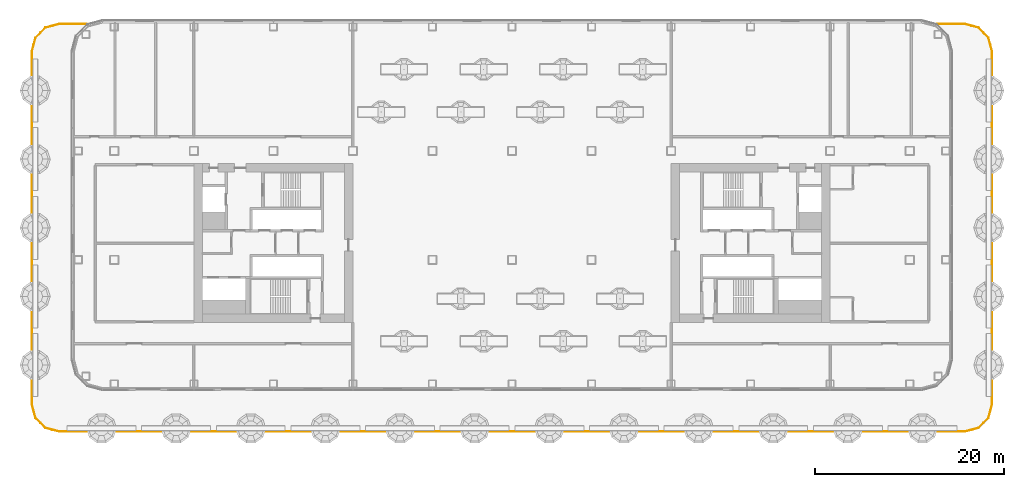
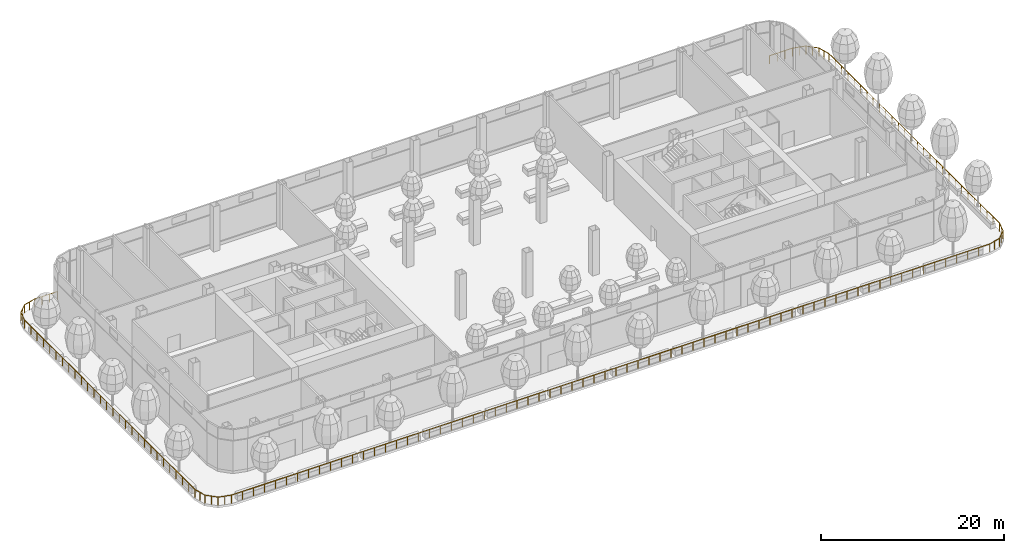
# One storey, part 34 of 44: 1 railing.
"""IFC4 building model written with IfcOpenShell, lengths in metres."""

from ifc_helpers import new_model, si_unit, direction, frame, origin, origin_2d, place, context, subcontext, project, spatial, circle, extrude, material, type_object, element, save


model = new_model("IFC4")

# Units and contexts
model_context = context("Model", 3, precision=1e-05, world=origin(), true_north=direction((0.0, 1.0)))
body_context = subcontext(model_context, "Body", "Model", "MODEL_VIEW")
ifc_project = project(units=[si_unit("LENGTHUNIT", "METRE"), si_unit("AREAUNIT", "SQUARE_METRE"), si_unit("VOLUMEUNIT", "CUBIC_METRE"), si_unit("PLANEANGLEUNIT", "RADIAN"), si_unit("MASSUNIT", "GRAM", prefix="KILO")], contexts=[model_context])

# Site, building, storey
site_placement = place(None, origin())
site = spatial("IfcSite", under=ifc_project, at=site_placement, CompositionType="ELEMENT")
building_placement = place(site_placement, origin())
building = spatial("IfcBuilding", under=site, at=building_placement, Name="Hakoniwa Tower and Hamabe Station Hall", CompositionType="ELEMENT")
storey_placement = place(building_placement, frame((0.0, 0.0, 69.0)))
storey = spatial("IfcBuildingStorey", under=building, at=storey_placement, Name="L19", CompositionType="ELEMENT", Elevation=69.0)

# Railing
ifc_material = material(Name="Stainless steel and laminated glass", Category="steel")
railing_type = type_object("IfcRailingType", Name="TERRACE BALUSTRADE 1100", PredefinedType="BALUSTRADE", material=ifc_material)
railing_placement = place(storey_placement, frame((-44.89990234375, 23.15087890625, 0.0)))
element("IfcRailing", 1, at=railing_placement, inside=storey, type_object=railing_type, Name="Terrace balustrade", PredefinedType="BALUSTRADE", context=body_context, shape_type="SweptSolid", body=[
    extrude(circle(Radius=0.02392578125, at=origin_2d()), frame((0.0, 0.0, 1.076171875), z_axis=(-1.0, 0.0, 0.0), x_axis=(0.0, -1.0, 0.0)), (0.0, 0.0, 1.0), 2.886962890625),
    extrude(circle(Radius=0.02392578125, at=origin_2d()), frame((-2.886962890625, 0.0, 1.076171875), z_axis=(-0.965934369252, -0.258787160227, 0.0), x_axis=(0.258787160227, -0.965934369252, 0.0)), (0.0, 0.0, 1.0), 1.51318359375),
    extrude(circle(Radius=0.02392578125, at=origin_2d()), frame((-4.3486328125, -0.3916015625, 1.076171875), z_axis=(-0.707188156038, -0.707025396969, 0.0), x_axis=(0.707025396969, -0.707188156038, 0.0)), (0.0, 0.0, 1.0), 1.5),
    extrude(circle(Radius=0.02392578125, at=origin_2d()), frame((-5.409423828125, -1.4521484375, 1.076171875), z_axis=(-0.258787160227, -0.965934369252, 0.0), x_axis=(0.965934369252, -0.258787160227, 0.0)), (0.0, 0.0, 1.0), 1.51318359375),
    extrude(circle(Radius=0.02392578125, at=origin_2d()), frame((-5.801025390625, -2.913818359375, 1.076171875), z_axis=(0.0, -1.0, 0.0), x_axis=(1.0, 0.0, 0.0)), (0.0, 0.0, 1.0), 37.223876953125),
    extrude(circle(Radius=0.02392578125, at=origin_2d()), frame((-5.801025390625, -40.1376953125, 1.076171875), z_axis=(0.258746836241, -0.965945171702, 0.0), x_axis=(0.965945171702, 0.258746836241, 0.0)), (0.0, 0.0, 1.0), 1.513427734375),
    extrude(circle(Radius=0.02392578125, at=origin_2d()), frame((-5.409423828125, -41.599609375, 1.076171875), z_axis=(0.707106781187, -0.707106781187, 0.0), x_axis=(0.707106781187, 0.707106781187, 0.0)), (0.0, 0.0, 1.0), 1.499755859375),
    extrude(circle(Radius=0.02392578125, at=origin_2d()), frame((-4.348876953125, -42.66015625, 1.076171875), z_axis=(0.965945171702, -0.258746836241, 0.0), x_axis=(0.258746836241, 0.965945171702, 0.0)), (0.0, 0.0, 1.0), 1.513427734375),
    extrude(circle(Radius=0.02392578125, at=origin_2d()), frame((-2.886962890625, -43.0517578125, 1.076171875), z_axis=(1.0, 0.0, 0.0), x_axis=(0.0, 1.0, 0.0)), (0.0, 0.0, 1.0), 95.57373046875),
    extrude(circle(Radius=0.02392578125, at=origin_2d()), frame((92.686767578125, -43.0517578125, 1.076171875), z_axis=(0.965934369252, 0.258787160227, 0.0), x_axis=(-0.258787160227, 0.965934369252, 0.0)), (0.0, 0.0, 1.0), 1.51318359375),
    extrude(circle(Radius=0.02392578125, at=origin_2d()), frame((94.1484375, -42.66015625, 1.076171875), z_axis=(0.707188156038, 0.707025396969, 0.0), x_axis=(-0.707025396969, 0.707188156038, 0.0)), (0.0, 0.0, 1.0), 1.5),
    extrude(circle(Radius=0.02392578125, at=origin_2d()), frame((95.209228515625, -41.599609375, 1.076171875), z_axis=(0.258746836241, 0.965945171702, 0.0), x_axis=(-0.965945171702, 0.258746836241, 0.0)), (0.0, 0.0, 1.0), 1.513427734375),
    extrude(circle(Radius=0.02392578125, at=origin_2d()), frame((95.600830078125, -40.1376953125, 1.076171875), z_axis=(0.0, 1.0, 0.0), x_axis=(-1.0, 0.0, 0.0)), (0.0, 0.0, 1.0), 37.2236328125),
    extrude(circle(Radius=0.02392578125, at=origin_2d()), frame((95.600830078125, -2.9140625, 1.076171875), z_axis=(-0.258787160227, 0.965934369252, 0.0), x_axis=(-0.965934369252, -0.258787160227, 0.0)), (0.0, 0.0, 1.0), 1.51318359375),
    extrude(circle(Radius=0.02392578125, at=origin_2d()), frame((95.209228515625, -1.452392578125, 1.076171875), z_axis=(-0.707025396969, 0.707188156038, 0.0), x_axis=(-0.707188156038, -0.707025396969, 0.0)), (0.0, 0.0, 1.0), 1.5),
    extrude(circle(Radius=0.02392578125, at=origin_2d()), frame((94.148681640625, -0.3916015625, 1.076171875), z_axis=(-0.965934369252, 0.258787160227, 0.0), x_axis=(-0.258787160227, -0.965934369252, 0.0)), (0.0, 0.0, 1.0), 1.51318359375),
    extrude(circle(Radius=0.02392578125, at=origin_2d()), frame((92.68701171875, 0.0, 1.076171875), z_axis=(-1.0, 0.0, 0.0), x_axis=(0.0, -1.0, 0.0)), (0.0, 0.0, 1.0), 2.88720703125),
    extrude(circle(Radius=0.02099609375, at=origin_2d()), origin(), (0.0, 0.0, 1.0), 1.052001953125),
    extrude(circle(Radius=0.02099609375, at=origin_2d()), frame((-0.96240234375, 0.0, 0.0)), (0.0, 0.0, 1.0), 1.052001953125),
    extrude(circle(Radius=0.02099609375, at=origin_2d()), frame((-1.924560546875, 0.0, 0.0)), (0.0, 0.0, 1.0), 1.052001953125),
    extrude(circle(Radius=0.02099609375, at=origin_2d()), frame((-2.886962890625, 0.0, 0.0)), (0.0, 0.0, 1.0), 1.052001953125),
    extrude(circle(Radius=0.02099609375, at=origin_2d()), frame((-3.61767578125, -0.19580078125, 0.0)), (0.0, 0.0, 1.0), 1.052001953125),
    extrude(circle(Radius=0.02099609375, at=origin_2d()), frame((-4.3486328125, -0.3916015625, 0.0)), (0.0, 0.0, 1.0), 1.052001953125),
    extrude(circle(Radius=0.02099609375, at=origin_2d()), frame((-4.87890625, -0.921875, 0.0)), (0.0, 0.0, 1.0), 1.052001953125),
    extrude(circle(Radius=0.02099609375, at=origin_2d()), frame((-5.409423828125, -1.4521484375, 0.0)), (0.0, 0.0, 1.0), 1.052001953125),
    extrude(circle(Radius=0.02099609375, at=origin_2d()), frame((-5.605224609375, -2.18310546875, 0.0)), (0.0, 0.0, 1.0), 1.052001953125),
    extrude(circle(Radius=0.02099609375, at=origin_2d()), frame((-5.801025390625, -2.913818359375, 0.0)), (0.0, 0.0, 1.0), 1.052001953125),
    extrude(circle(Radius=0.02099609375, at=origin_2d()), frame((-5.801025390625, -4.29248046875, 0.0)), (0.0, 0.0, 1.0), 1.052001953125),
    extrude(circle(Radius=0.02099609375, at=origin_2d()), frame((-5.801025390625, -5.671142578125, 0.0)), (0.0, 0.0, 1.0), 1.052001953125),
    extrude(circle(Radius=0.02099609375, at=origin_2d()), frame((-5.801025390625, -7.0498046875, 0.0)), (0.0, 0.0, 1.0), 1.052001953125),
    extrude(circle(Radius=0.02099609375, at=origin_2d()), frame((-5.801025390625, -8.428466796875, 0.0)), (0.0, 0.0, 1.0), 1.052001953125),
    extrude(circle(Radius=0.02099609375, at=origin_2d()), frame((-5.801025390625, -9.80712890625, 0.0)), (0.0, 0.0, 1.0), 1.052001953125),
    extrude(circle(Radius=0.02099609375, at=origin_2d()), frame((-5.801025390625, -11.185791015625, 0.0)), (0.0, 0.0, 1.0), 1.052001953125),
    extrude(circle(Radius=0.02099609375, at=origin_2d()), frame((-5.801025390625, -12.564453125, 0.0)), (0.0, 0.0, 1.0), 1.052001953125),
    extrude(circle(Radius=0.02099609375, at=origin_2d()), frame((-5.801025390625, -13.943115234375, 0.0)), (0.0, 0.0, 1.0), 1.052001953125),
    extrude(circle(Radius=0.02099609375, at=origin_2d()), frame((-5.801025390625, -15.32177734375, 0.0)), (0.0, 0.0, 1.0), 1.052001953125),
    extrude(circle(Radius=0.02099609375, at=origin_2d()), frame((-5.801025390625, -16.700439453125, 0.0)), (0.0, 0.0, 1.0), 1.052001953125),
    extrude(circle(Radius=0.02099609375, at=origin_2d()), frame((-5.801025390625, -18.0791015625, 0.0)), (0.0, 0.0, 1.0), 1.052001953125),
    extrude(circle(Radius=0.02099609375, at=origin_2d()), frame((-5.801025390625, -19.457763671875, 0.0)), (0.0, 0.0, 1.0), 1.052001953125),
    extrude(circle(Radius=0.02099609375, at=origin_2d()), frame((-5.801025390625, -20.83642578125, 0.0)), (0.0, 0.0, 1.0), 1.052001953125),
    extrude(circle(Radius=0.02099609375, at=origin_2d()), frame((-5.801025390625, -22.215087890625, 0.0)), (0.0, 0.0, 1.0), 1.052001953125),
    extrude(circle(Radius=0.02099609375, at=origin_2d()), frame((-5.801025390625, -23.59375, 0.0)), (0.0, 0.0, 1.0), 1.052001953125),
    extrude(circle(Radius=0.02099609375, at=origin_2d()), frame((-5.801025390625, -24.972412109375, 0.0)), (0.0, 0.0, 1.0), 1.052001953125),
    extrude(circle(Radius=0.02099609375, at=origin_2d()), frame((-5.801025390625, -26.35107421875, 0.0)), (0.0, 0.0, 1.0), 1.052001953125),
    extrude(circle(Radius=0.02099609375, at=origin_2d()), frame((-5.801025390625, -27.729736328125, 0.0)), (0.0, 0.0, 1.0), 1.052001953125),
    extrude(circle(Radius=0.02099609375, at=origin_2d()), frame((-5.801025390625, -29.1083984375, 0.0)), (0.0, 0.0, 1.0), 1.052001953125),
    extrude(circle(Radius=0.02099609375, at=origin_2d()), frame((-5.801025390625, -30.487060546875, 0.0)), (0.0, 0.0, 1.0), 1.052001953125),
    extrude(circle(Radius=0.02099609375, at=origin_2d()), frame((-5.801025390625, -31.86572265625, 0.0)), (0.0, 0.0, 1.0), 1.052001953125),
    extrude(circle(Radius=0.02099609375, at=origin_2d()), frame((-5.801025390625, -33.244384765625, 0.0)), (0.0, 0.0, 1.0), 1.052001953125),
    extrude(circle(Radius=0.02099609375, at=origin_2d()), frame((-5.801025390625, -34.623046875, 0.0)), (0.0, 0.0, 1.0), 1.052001953125),
    extrude(circle(Radius=0.02099609375, at=origin_2d()), frame((-5.801025390625, -36.001708984375, 0.0)), (0.0, 0.0, 1.0), 1.052001953125),
    extrude(circle(Radius=0.02099609375, at=origin_2d()), frame((-5.801025390625, -37.38037109375, 0.0)), (0.0, 0.0, 1.0), 1.052001953125),
    extrude(circle(Radius=0.02099609375, at=origin_2d()), frame((-5.801025390625, -38.759033203125, 0.0)), (0.0, 0.0, 1.0), 1.052001953125),
    extrude(circle(Radius=0.02099609375, at=origin_2d()), frame((-5.801025390625, -40.1376953125, 0.0)), (0.0, 0.0, 1.0), 1.052001953125),
    extrude(circle(Radius=0.02099609375, at=origin_2d()), frame((-5.605224609375, -40.86865234375, 0.0)), (0.0, 0.0, 1.0), 1.052001953125),
    extrude(circle(Radius=0.02099609375, at=origin_2d()), frame((-5.409423828125, -41.599609375, 0.0)), (0.0, 0.0, 1.0), 1.052001953125),
    extrude(circle(Radius=0.02099609375, at=origin_2d()), frame((-4.879150390625, -42.1298828125, 0.0)), (0.0, 0.0, 1.0), 1.052001953125),
    extrude(circle(Radius=0.02099609375, at=origin_2d()), frame((-4.348876953125, -42.66015625, 0.0)), (0.0, 0.0, 1.0), 1.052001953125),
    extrude(circle(Radius=0.02099609375, at=origin_2d()), frame((-3.617919921875, -42.85595703125, 0.0)), (0.0, 0.0, 1.0), 1.052001953125),
    extrude(circle(Radius=0.02099609375, at=origin_2d()), frame((-2.886962890625, -43.0517578125, 0.0)), (0.0, 0.0, 1.0), 1.052001953125),
    extrude(circle(Radius=0.02099609375, at=origin_2d()), frame((-1.501953125, -43.0517578125, 0.0)), (0.0, 0.0, 1.0), 1.052001953125),
    extrude(circle(Radius=0.02099609375, at=origin_2d()), frame((-0.11669921875, -43.0517578125, 0.0)), (0.0, 0.0, 1.0), 1.052001953125),
    extrude(circle(Radius=0.02099609375, at=origin_2d()), frame((1.268310546875, -43.0517578125, 0.0)), (0.0, 0.0, 1.0), 1.052001953125),
    extrude(circle(Radius=0.02099609375, at=origin_2d()), frame((2.653564453125, -43.0517578125, 0.0)), (0.0, 0.0, 1.0), 1.052001953125),
    extrude(circle(Radius=0.02099609375, at=origin_2d()), frame((4.03857421875, -43.0517578125, 0.0)), (0.0, 0.0, 1.0), 1.052001953125),
    extrude(circle(Radius=0.02099609375, at=origin_2d()), frame((5.423828125, -43.0517578125, 0.0)), (0.0, 0.0, 1.0), 1.052001953125),
    extrude(circle(Radius=0.02099609375, at=origin_2d()), frame((6.808837890625, -43.0517578125, 0.0)), (0.0, 0.0, 1.0), 1.052001953125),
    extrude(circle(Radius=0.02099609375, at=origin_2d()), frame((8.194091796875, -43.0517578125, 0.0)), (0.0, 0.0, 1.0), 1.052001953125),
    extrude(circle(Radius=0.02099609375, at=origin_2d()), frame((9.5791015625, -43.0517578125, 0.0)), (0.0, 0.0, 1.0), 1.052001953125),
    extrude(circle(Radius=0.02099609375, at=origin_2d()), frame((10.96435546875, -43.0517578125, 0.0)), (0.0, 0.0, 1.0), 1.052001953125),
    extrude(circle(Radius=0.02099609375, at=origin_2d()), frame((12.349365234375, -43.0517578125, 0.0)), (0.0, 0.0, 1.0), 1.052001953125),
    extrude(circle(Radius=0.02099609375, at=origin_2d()), frame((13.734619140625, -43.0517578125, 0.0)), (0.0, 0.0, 1.0), 1.052001953125),
    extrude(circle(Radius=0.02099609375, at=origin_2d()), frame((15.11962890625, -43.0517578125, 0.0)), (0.0, 0.0, 1.0), 1.052001953125),
    extrude(circle(Radius=0.02099609375, at=origin_2d()), frame((16.5048828125, -43.0517578125, 0.0)), (0.0, 0.0, 1.0), 1.052001953125),
    extrude(circle(Radius=0.02099609375, at=origin_2d()), frame((17.889892578125, -43.0517578125, 0.0)), (0.0, 0.0, 1.0), 1.052001953125),
    extrude(circle(Radius=0.02099609375, at=origin_2d()), frame((19.275146484375, -43.0517578125, 0.0)), (0.0, 0.0, 1.0), 1.052001953125),
    extrude(circle(Radius=0.02099609375, at=origin_2d()), frame((20.66015625, -43.0517578125, 0.0)), (0.0, 0.0, 1.0), 1.052001953125),
    extrude(circle(Radius=0.02099609375, at=origin_2d()), frame((22.04541015625, -43.0517578125, 0.0)), (0.0, 0.0, 1.0), 1.052001953125),
    extrude(circle(Radius=0.02099609375, at=origin_2d()), frame((23.430419921875, -43.0517578125, 0.0)), (0.0, 0.0, 1.0), 1.052001953125),
    extrude(circle(Radius=0.02099609375, at=origin_2d()), frame((24.815673828125, -43.0517578125, 0.0)), (0.0, 0.0, 1.0), 1.052001953125),
    extrude(circle(Radius=0.02099609375, at=origin_2d()), frame((26.20068359375, -43.0517578125, 0.0)), (0.0, 0.0, 1.0), 1.052001953125),
    extrude(circle(Radius=0.02099609375, at=origin_2d()), frame((27.5859375, -43.0517578125, 0.0)), (0.0, 0.0, 1.0), 1.052001953125),
    extrude(circle(Radius=0.02099609375, at=origin_2d()), frame((28.970947265625, -43.0517578125, 0.0)), (0.0, 0.0, 1.0), 1.052001953125),
    extrude(circle(Radius=0.02099609375, at=origin_2d()), frame((30.35595703125, -43.0517578125, 0.0)), (0.0, 0.0, 1.0), 1.052001953125),
    extrude(circle(Radius=0.02099609375, at=origin_2d()), frame((31.7412109375, -43.0517578125, 0.0)), (0.0, 0.0, 1.0), 1.052001953125),
    extrude(circle(Radius=0.02099609375, at=origin_2d()), frame((33.126220703125, -43.0517578125, 0.0)), (0.0, 0.0, 1.0), 1.052001953125),
    extrude(circle(Radius=0.02099609375, at=origin_2d()), frame((34.511474609375, -43.0517578125, 0.0)), (0.0, 0.0, 1.0), 1.052001953125),
    extrude(circle(Radius=0.02099609375, at=origin_2d()), frame((35.896484375, -43.0517578125, 0.0)), (0.0, 0.0, 1.0), 1.052001953125),
    extrude(circle(Radius=0.02099609375, at=origin_2d()), frame((37.28173828125, -43.0517578125, 0.0)), (0.0, 0.0, 1.0), 1.052001953125),
    extrude(circle(Radius=0.02099609375, at=origin_2d()), frame((38.666748046875, -43.0517578125, 0.0)), (0.0, 0.0, 1.0), 1.052001953125),
    extrude(circle(Radius=0.02099609375, at=origin_2d()), frame((40.052001953125, -43.0517578125, 0.0)), (0.0, 0.0, 1.0), 1.052001953125),
    extrude(circle(Radius=0.02099609375, at=origin_2d()), frame((41.43701171875, -43.0517578125, 0.0)), (0.0, 0.0, 1.0), 1.052001953125),
    extrude(circle(Radius=0.02099609375, at=origin_2d()), frame((42.822265625, -43.0517578125, 0.0)), (0.0, 0.0, 1.0), 1.052001953125),
    extrude(circle(Radius=0.02099609375, at=origin_2d()), frame((44.207275390625, -43.0517578125, 0.0)), (0.0, 0.0, 1.0), 1.052001953125),
    extrude(circle(Radius=0.02099609375, at=origin_2d()), frame((45.592529296875, -43.0517578125, 0.0)), (0.0, 0.0, 1.0), 1.052001953125),
    extrude(circle(Radius=0.02099609375, at=origin_2d()), frame((46.9775390625, -43.0517578125, 0.0)), (0.0, 0.0, 1.0), 1.052001953125),
    extrude(circle(Radius=0.02099609375, at=origin_2d()), frame((48.36279296875, -43.0517578125, 0.0)), (0.0, 0.0, 1.0), 1.052001953125),
    extrude(circle(Radius=0.02099609375, at=origin_2d()), frame((49.747802734375, -43.0517578125, 0.0)), (0.0, 0.0, 1.0), 1.052001953125),
    extrude(circle(Radius=0.02099609375, at=origin_2d()), frame((51.133056640625, -43.0517578125, 0.0)), (0.0, 0.0, 1.0), 1.052001953125),
    extrude(circle(Radius=0.02099609375, at=origin_2d()), frame((52.51806640625, -43.0517578125, 0.0)), (0.0, 0.0, 1.0), 1.052001953125),
    extrude(circle(Radius=0.02099609375, at=origin_2d()), frame((53.9033203125, -43.0517578125, 0.0)), (0.0, 0.0, 1.0), 1.052001953125),
    extrude(circle(Radius=0.02099609375, at=origin_2d()), frame((55.288330078125, -43.0517578125, 0.0)), (0.0, 0.0, 1.0), 1.052001953125),
    extrude(circle(Radius=0.02099609375, at=origin_2d()), frame((56.673583984375, -43.0517578125, 0.0)), (0.0, 0.0, 1.0), 1.052001953125),
    extrude(circle(Radius=0.02099609375, at=origin_2d()), frame((58.05859375, -43.0517578125, 0.0)), (0.0, 0.0, 1.0), 1.052001953125),
    extrude(circle(Radius=0.02099609375, at=origin_2d()), frame((59.44384765625, -43.0517578125, 0.0)), (0.0, 0.0, 1.0), 1.052001953125),
    extrude(circle(Radius=0.02099609375, at=origin_2d()), frame((60.828857421875, -43.0517578125, 0.0)), (0.0, 0.0, 1.0), 1.052001953125),
    extrude(circle(Radius=0.02099609375, at=origin_2d()), frame((62.2138671875, -43.0517578125, 0.0)), (0.0, 0.0, 1.0), 1.052001953125),
    extrude(circle(Radius=0.02099609375, at=origin_2d()), frame((63.59912109375, -43.0517578125, 0.0)), (0.0, 0.0, 1.0), 1.052001953125),
    extrude(circle(Radius=0.02099609375, at=origin_2d()), frame((64.984130859375, -43.0517578125, 0.0)), (0.0, 0.0, 1.0), 1.052001953125),
    extrude(circle(Radius=0.02099609375, at=origin_2d()), frame((66.369384765625, -43.0517578125, 0.0)), (0.0, 0.0, 1.0), 1.052001953125),
    extrude(circle(Radius=0.02099609375, at=origin_2d()), frame((67.75439453125, -43.0517578125, 0.0)), (0.0, 0.0, 1.0), 1.052001953125),
    extrude(circle(Radius=0.02099609375, at=origin_2d()), frame((69.1396484375, -43.0517578125, 0.0)), (0.0, 0.0, 1.0), 1.052001953125),
    extrude(circle(Radius=0.02099609375, at=origin_2d()), frame((70.524658203125, -43.0517578125, 0.0)), (0.0, 0.0, 1.0), 1.052001953125),
    extrude(circle(Radius=0.02099609375, at=origin_2d()), frame((71.909912109375, -43.0517578125, 0.0)), (0.0, 0.0, 1.0), 1.052001953125),
    extrude(circle(Radius=0.02099609375, at=origin_2d()), frame((73.294921875, -43.0517578125, 0.0)), (0.0, 0.0, 1.0), 1.052001953125),
    extrude(circle(Radius=0.02099609375, at=origin_2d()), frame((74.68017578125, -43.0517578125, 0.0)), (0.0, 0.0, 1.0), 1.052001953125),
    extrude(circle(Radius=0.02099609375, at=origin_2d()), frame((76.065185546875, -43.0517578125, 0.0)), (0.0, 0.0, 1.0), 1.052001953125),
    extrude(circle(Radius=0.02099609375, at=origin_2d()), frame((77.450439453125, -43.0517578125, 0.0)), (0.0, 0.0, 1.0), 1.052001953125),
    extrude(circle(Radius=0.02099609375, at=origin_2d()), frame((78.83544921875, -43.0517578125, 0.0)), (0.0, 0.0, 1.0), 1.052001953125),
    extrude(circle(Radius=0.02099609375, at=origin_2d()), frame((80.220703125, -43.0517578125, 0.0)), (0.0, 0.0, 1.0), 1.052001953125),
    extrude(circle(Radius=0.02099609375, at=origin_2d()), frame((81.605712890625, -43.0517578125, 0.0)), (0.0, 0.0, 1.0), 1.052001953125),
    extrude(circle(Radius=0.02099609375, at=origin_2d()), frame((82.990966796875, -43.0517578125, 0.0)), (0.0, 0.0, 1.0), 1.052001953125),
    extrude(circle(Radius=0.02099609375, at=origin_2d()), frame((84.3759765625, -43.0517578125, 0.0)), (0.0, 0.0, 1.0), 1.052001953125),
    extrude(circle(Radius=0.02099609375, at=origin_2d()), frame((85.76123046875, -43.0517578125, 0.0)), (0.0, 0.0, 1.0), 1.052001953125),
    extrude(circle(Radius=0.02099609375, at=origin_2d()), frame((87.146240234375, -43.0517578125, 0.0)), (0.0, 0.0, 1.0), 1.052001953125),
    extrude(circle(Radius=0.02099609375, at=origin_2d()), frame((88.531494140625, -43.0517578125, 0.0)), (0.0, 0.0, 1.0), 1.052001953125),
    extrude(circle(Radius=0.02099609375, at=origin_2d()), frame((89.91650390625, -43.0517578125, 0.0)), (0.0, 0.0, 1.0), 1.052001953125),
    extrude(circle(Radius=0.02099609375, at=origin_2d()), frame((91.3017578125, -43.0517578125, 0.0)), (0.0, 0.0, 1.0), 1.052001953125),
    extrude(circle(Radius=0.02099609375, at=origin_2d()), frame((92.686767578125, -43.0517578125, 0.0)), (0.0, 0.0, 1.0), 1.052001953125),
    extrude(circle(Radius=0.02099609375, at=origin_2d()), frame((93.41748046875, -42.85595703125, 0.0)), (0.0, 0.0, 1.0), 1.052001953125),
    extrude(circle(Radius=0.02099609375, at=origin_2d()), frame((94.1484375, -42.66015625, 0.0)), (0.0, 0.0, 1.0), 1.052001953125),
    extrude(circle(Radius=0.02099609375, at=origin_2d()), frame((94.6787109375, -42.1298828125, 0.0)), (0.0, 0.0, 1.0), 1.052001953125),
    extrude(circle(Radius=0.02099609375, at=origin_2d()), frame((95.209228515625, -41.599609375, 0.0)), (0.0, 0.0, 1.0), 1.052001953125),
    extrude(circle(Radius=0.02099609375, at=origin_2d()), frame((95.405029296875, -40.86865234375, 0.0)), (0.0, 0.0, 1.0), 1.052001953125),
    extrude(circle(Radius=0.02099609375, at=origin_2d()), frame((95.600830078125, -40.1376953125, 0.0)), (0.0, 0.0, 1.0), 1.052001953125),
    extrude(circle(Radius=0.02099609375, at=origin_2d()), frame((95.600830078125, -38.759033203125, 0.0)), (0.0, 0.0, 1.0), 1.052001953125),
    extrude(circle(Radius=0.02099609375, at=origin_2d()), frame((95.600830078125, -37.38037109375, 0.0)), (0.0, 0.0, 1.0), 1.052001953125),
    extrude(circle(Radius=0.02099609375, at=origin_2d()), frame((95.600830078125, -36.001708984375, 0.0)), (0.0, 0.0, 1.0), 1.052001953125),
    extrude(circle(Radius=0.02099609375, at=origin_2d()), frame((95.600830078125, -34.623046875, 0.0)), (0.0, 0.0, 1.0), 1.052001953125),
    extrude(circle(Radius=0.02099609375, at=origin_2d()), frame((95.600830078125, -33.244384765625, 0.0)), (0.0, 0.0, 1.0), 1.052001953125),
    extrude(circle(Radius=0.02099609375, at=origin_2d()), frame((95.600830078125, -31.86572265625, 0.0)), (0.0, 0.0, 1.0), 1.052001953125),
    extrude(circle(Radius=0.02099609375, at=origin_2d()), frame((95.600830078125, -30.487060546875, 0.0)), (0.0, 0.0, 1.0), 1.052001953125),
    extrude(circle(Radius=0.02099609375, at=origin_2d()), frame((95.600830078125, -29.1083984375, 0.0)), (0.0, 0.0, 1.0), 1.052001953125),
    extrude(circle(Radius=0.02099609375, at=origin_2d()), frame((95.600830078125, -27.729736328125, 0.0)), (0.0, 0.0, 1.0), 1.052001953125),
    extrude(circle(Radius=0.02099609375, at=origin_2d()), frame((95.600830078125, -26.35107421875, 0.0)), (0.0, 0.0, 1.0), 1.052001953125),
    extrude(circle(Radius=0.02099609375, at=origin_2d()), frame((95.600830078125, -24.972412109375, 0.0)), (0.0, 0.0, 1.0), 1.052001953125),
    extrude(circle(Radius=0.02099609375, at=origin_2d()), frame((95.600830078125, -23.59375, 0.0)), (0.0, 0.0, 1.0), 1.052001953125),
    extrude(circle(Radius=0.02099609375, at=origin_2d()), frame((95.600830078125, -22.215087890625, 0.0)), (0.0, 0.0, 1.0), 1.052001953125),
    extrude(circle(Radius=0.02099609375, at=origin_2d()), frame((95.600830078125, -20.836669921875, 0.0)), (0.0, 0.0, 1.0), 1.052001953125),
    extrude(circle(Radius=0.02099609375, at=origin_2d()), frame((95.600830078125, -19.4580078125, 0.0)), (0.0, 0.0, 1.0), 1.052001953125),
    extrude(circle(Radius=0.02099609375, at=origin_2d()), frame((95.600830078125, -18.079345703125, 0.0)), (0.0, 0.0, 1.0), 1.052001953125),
    extrude(circle(Radius=0.02099609375, at=origin_2d()), frame((95.600830078125, -16.70068359375, 0.0)), (0.0, 0.0, 1.0), 1.052001953125),
    extrude(circle(Radius=0.02099609375, at=origin_2d()), frame((95.600830078125, -15.322021484375, 0.0)), (0.0, 0.0, 1.0), 1.052001953125),
    extrude(circle(Radius=0.02099609375, at=origin_2d()), frame((95.600830078125, -13.943359375, 0.0)), (0.0, 0.0, 1.0), 1.052001953125),
    extrude(circle(Radius=0.02099609375, at=origin_2d()), frame((95.600830078125, -12.564697265625, 0.0)), (0.0, 0.0, 1.0), 1.052001953125),
    extrude(circle(Radius=0.02099609375, at=origin_2d()), frame((95.600830078125, -11.18603515625, 0.0)), (0.0, 0.0, 1.0), 1.052001953125),
    extrude(circle(Radius=0.02099609375, at=origin_2d()), frame((95.600830078125, -9.807373046875, 0.0)), (0.0, 0.0, 1.0), 1.052001953125),
    extrude(circle(Radius=0.02099609375, at=origin_2d()), frame((95.600830078125, -8.4287109375, 0.0)), (0.0, 0.0, 1.0), 1.052001953125),
    extrude(circle(Radius=0.02099609375, at=origin_2d()), frame((95.600830078125, -7.050048828125, 0.0)), (0.0, 0.0, 1.0), 1.052001953125),
    extrude(circle(Radius=0.02099609375, at=origin_2d()), frame((95.600830078125, -5.67138671875, 0.0)), (0.0, 0.0, 1.0), 1.052001953125),
    extrude(circle(Radius=0.02099609375, at=origin_2d()), frame((95.600830078125, -4.292724609375, 0.0)), (0.0, 0.0, 1.0), 1.052001953125),
    extrude(circle(Radius=0.02099609375, at=origin_2d()), frame((95.600830078125, -2.9140625, 0.0)), (0.0, 0.0, 1.0), 1.052001953125),
    extrude(circle(Radius=0.02099609375, at=origin_2d()), frame((95.405029296875, -2.18310546875, 0.0)), (0.0, 0.0, 1.0), 1.052001953125),
    extrude(circle(Radius=0.02099609375, at=origin_2d()), frame((95.209228515625, -1.452392578125, 0.0)), (0.0, 0.0, 1.0), 1.052001953125),
    extrude(circle(Radius=0.02099609375, at=origin_2d()), frame((94.678955078125, -0.921875, 0.0)), (0.0, 0.0, 1.0), 1.052001953125),
    extrude(circle(Radius=0.02099609375, at=origin_2d()), frame((94.148681640625, -0.3916015625, 0.0)), (0.0, 0.0, 1.0), 1.052001953125),
    extrude(circle(Radius=0.02099609375, at=origin_2d()), frame((93.41796875, -0.19580078125, 0.0)), (0.0, 0.0, 1.0), 1.052001953125),
    extrude(circle(Radius=0.02099609375, at=origin_2d()), frame((92.68701171875, 0.0, 0.0)), (0.0, 0.0, 1.0), 1.052001953125),
    extrude(circle(Radius=0.02099609375, at=origin_2d()), frame((91.724609375, 0.0, 0.0)), (0.0, 0.0, 1.0), 1.052001953125),
    extrude(circle(Radius=0.02099609375, at=origin_2d()), frame((90.76220703125, 0.0, 0.0)), (0.0, 0.0, 1.0), 1.052001953125),
    extrude(circle(Radius=0.02099609375, at=origin_2d()), frame((89.7998046875, 0.0, 0.0)), (0.0, 0.0, 1.0), 1.052001953125),
])

save(model, "model.ifc")
